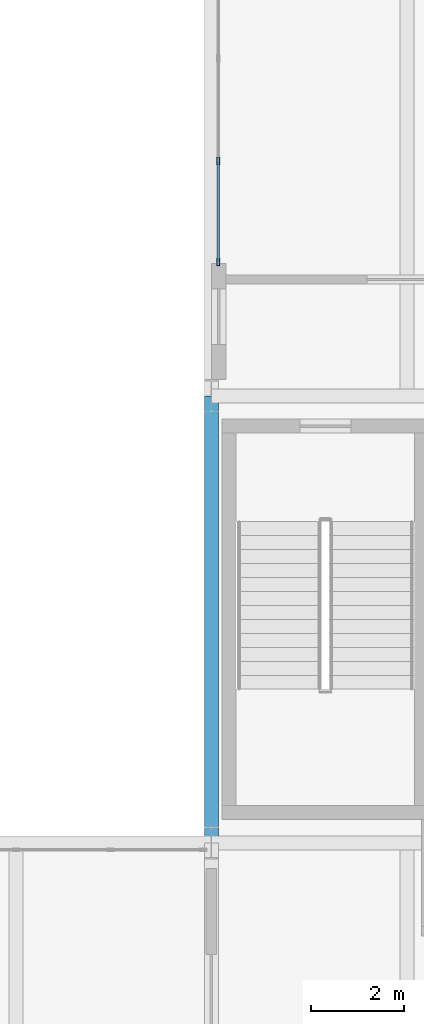
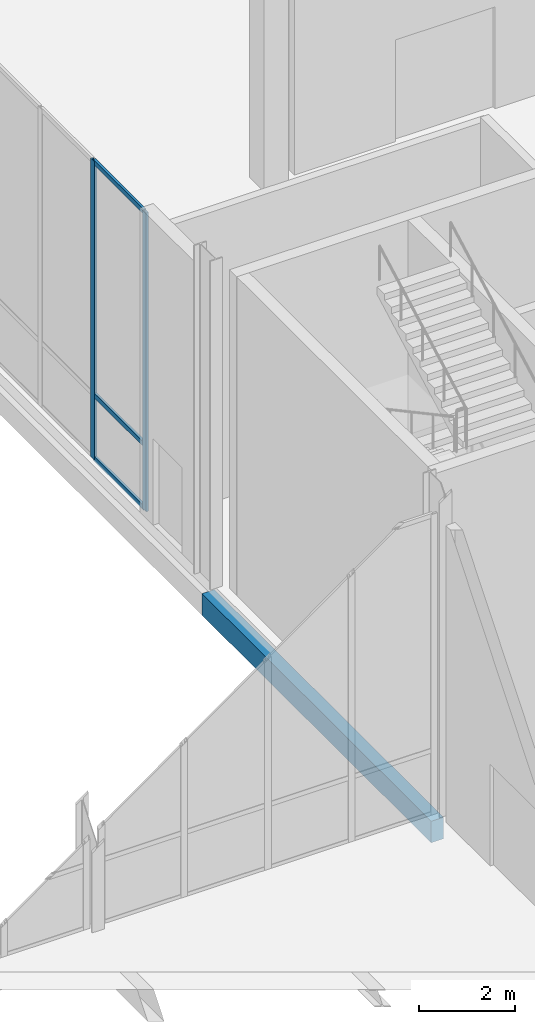
# One storey, part 39 of 131: 5 members, 1 beam, 1 element without a shape of its own.
"""IFC4 building model written with IfcOpenShell, lengths in metres."""

from ifc_helpers import new_model, si_unit, direction, frame, origin, origin_2d, place, context, subcontext, project, spatial, rectangle, hollow_rectangle, extrude, material, material_profile, profile_set, type_object, element, aggregate, save


model = new_model("IFC4")

# Units and contexts
model_context = context("Model", 3, precision=1e-05, world=origin(), true_north=direction((0.0, 1.0)))
body_context = subcontext(model_context, "Body", "Model", "MODEL_VIEW")
ifc_project = project(units=[si_unit("LENGTHUNIT", "METRE"), si_unit("AREAUNIT", "SQUARE_METRE"), si_unit("VOLUMEUNIT", "CUBIC_METRE"), si_unit("PLANEANGLEUNIT", "RADIAN"), si_unit("MASSUNIT", "GRAM", prefix="KILO")], contexts=[model_context])

# Site, building, storey
site_placement = place(None, origin())
site = spatial("IfcSite", under=ifc_project, at=site_placement, CompositionType="ELEMENT")
building_placement = place(site_placement, origin())
building = spatial("IfcBuilding", under=site, at=building_placement, Name="Veltarok Museum of Natural Sciences", CompositionType="ELEMENT")
storey_placement = place(building_placement, origin())
storey = spatial("IfcBuildingStorey", under=building, at=storey_placement, Name="L00", CompositionType="ELEMENT", Elevation=0.0)

# Curtain wall, members
ifc_material_1 = material(Name="Low-iron triple insulated glass", Category="glass")
curtain_wall_type = type_object("IfcCurtainWallType", Name="Curtain Wall System CW-V5CW-L00-3-880x763 (CW-V5CW L00 880x763cm)", PredefinedType="NOTDEFINED", material=ifc_material_1)
curtain_wall_placement = place(storey_placement, origin())
curtain_wall = element("IfcCurtainWall", 1, at=curtain_wall_placement, inside=storey, type_object=curtain_wall_type, Name="Curtain Wall CW-V5CW-L00-3-880x763 CW-0171", PredefinedType="NOTDEFINED")
ifc_material_2 = material(Name="Thermally broken anodised aluminium", Category="aluminium")
ifc_material_profile_1 = material_profile(ifc_material_2, hollow_rectangle(XDim=0.06005859375, YDim=0.1201171875, WallThickness=0.0048828125, at=origin_2d()), Name="CW TRANSOM 60x120x5")
ifc_profile_set_1 = profile_set([ifc_material_profile_1], Name="Thermally broken anodised aluminium")
member_type_1 = type_object("IfcMemberType", Name="Curtain Wall Horizontal Transom 60x120x5", PredefinedType="USERDEFINED", material=ifc_profile_set_1)
member_1_placement = place(storey_placement, frame((132.550048828125, 38.909912109375, 0.028076171875), z_axis=(0.0, 1.0, 0.0), x_axis=(-1.0, 0.0, 0.0)))
member_1 = element("IfcMember", 2, at=member_1_placement, type_object=member_type_1, Name="CW-V5CW-L00-3-880x763 transom 1.1", ObjectType="TRANSOM", PredefinedType="USERDEFINED", context=body_context, shape_type="SweptSolid", body=[
    extrude(hollow_rectangle(XDim=0.06005859375, YDim=0.1201171875, WallThickness=0.0048828125, at=origin_2d()), origin(), (0.0, 0.0, 1.0), 2.110107421875),
])
member_2_placement = place(storey_placement, frame((132.550048828125, 38.909912109375, 1.64794921875), z_axis=(0.0, 1.0, 0.0), x_axis=(-1.0, 0.0, 0.0)))
member_2 = element("IfcMember", 3, at=member_2_placement, type_object=member_type_1, Name="CW-V5CW-L00-3-880x763 transom 1.2", ObjectType="TRANSOM", PredefinedType="USERDEFINED", context=body_context, shape_type="SweptSolid", body=[
    extrude(hollow_rectangle(XDim=0.06005859375, YDim=0.1201171875, WallThickness=0.0048828125, at=origin_2d()), origin(), (0.0, 0.0, 1.0), 2.110107421875),
])
member_3_placement = place(storey_placement, frame((132.550048828125, 38.909912109375, 7.60009765625), z_axis=(0.0, 1.0, 0.0), x_axis=(-1.0, 0.0, 0.0)))
member_3 = element("IfcMember", 4, at=member_3_placement, type_object=member_type_1, Name="CW-V5CW-L00-3-880x763 transom 1.3", ObjectType="TRANSOM", PredefinedType="USERDEFINED", context=body_context, shape_type="SweptSolid", body=[
    extrude(hollow_rectangle(XDim=0.06005859375, YDim=0.1201171875, WallThickness=0.0048828125, at=origin_2d()), origin(), (0.0, 0.0, 1.0), 2.110107421875),
])
ifc_material_profile_2 = material_profile(ifc_material_2, hollow_rectangle(XDim=0.06005859375, YDim=0.159912109375, WallThickness=0.0048828125, at=origin_2d()), Name="CW MULLION 60x160x5")
ifc_profile_set_2 = profile_set([ifc_material_profile_2], Name="Thermally broken anodised aluminium")
member_type_2 = type_object("IfcMemberType", Name="Curtain Wall Vertical Mullion 60x160x5", PredefinedType="MULLION", material=ifc_profile_set_2)
member_4_placement = place(storey_placement, frame((132.550048828125, 38.8798828125, -0.001953125), z_axis=(0.0, 0.0, 1.0), x_axis=(-1.0, 0.0, 0.0)))
member_4 = element("IfcMember", 5, at=member_4_placement, type_object=member_type_2, Name="CW-V5CW-L00-3-880x763 mullion 1", PredefinedType="MULLION", context=body_context, shape_type="SweptSolid", body=[
    extrude(hollow_rectangle(XDim=0.06005859375, YDim=0.159912109375, WallThickness=0.0048828125, at=origin_2d()), origin(), (0.0, 0.0, 1.0), 7.6318359375),
])
member_5_placement = place(storey_placement, frame((132.550048828125, 41.050048828125, -0.001953125), z_axis=(0.0, 0.0, 1.0), x_axis=(-1.0, 0.0, 0.0)))
member_5 = element("IfcMember", 6, at=member_5_placement, type_object=member_type_2, Name="CW-V5CW-L00-3-880x763 mullion 2", PredefinedType="MULLION", context=body_context, shape_type="SweptSolid", body=[
    extrude(hollow_rectangle(XDim=0.06005859375, YDim=0.159912109375, WallThickness=0.0048828125, at=origin_2d()), origin(), (0.0, 0.0, 1.0), 7.6318359375),
])
aggregate(curtain_wall, [member_4, member_5, member_1, member_2, member_3])

# Beam
ifc_material_3 = material(Name="Precast concrete C40/50", Category="concrete")
ifc_material_profile_3 = material_profile(ifc_material_3, rectangle(XDim=0.300048828125, YDim=0.550048828125, at=origin_2d()), Name="RC 300x550")
ifc_profile_set_3 = profile_set([ifc_material_profile_3], Name="Precast concrete C40/50")
beam_type = type_object("IfcBeamType", Name="East Wing Precast Spandrel RC 300x550", PredefinedType="SPANDREL", material=ifc_profile_set_3)
beam_placement = place(storey_placement, frame((132.39990234375, 26.39990234375, -0.574951171875), z_axis=(0.0, 1.0, 0.0), x_axis=(-1.0, 0.0, 0.0)))
element("IfcBeam", 7, at=beam_placement, inside=storey, type_object=beam_type, Name="Beam BM-SP02 L00 16/D-E", PredefinedType="SPANDREL", context=body_context, shape_type="SweptSolid", body=[
    extrude(rectangle(XDim=0.300048828125, YDim=0.550048828125, at=origin_2d()), origin(), (0.0, 0.0, 1.0), 9.60009765625),
])

save(model, "model.ifc")
